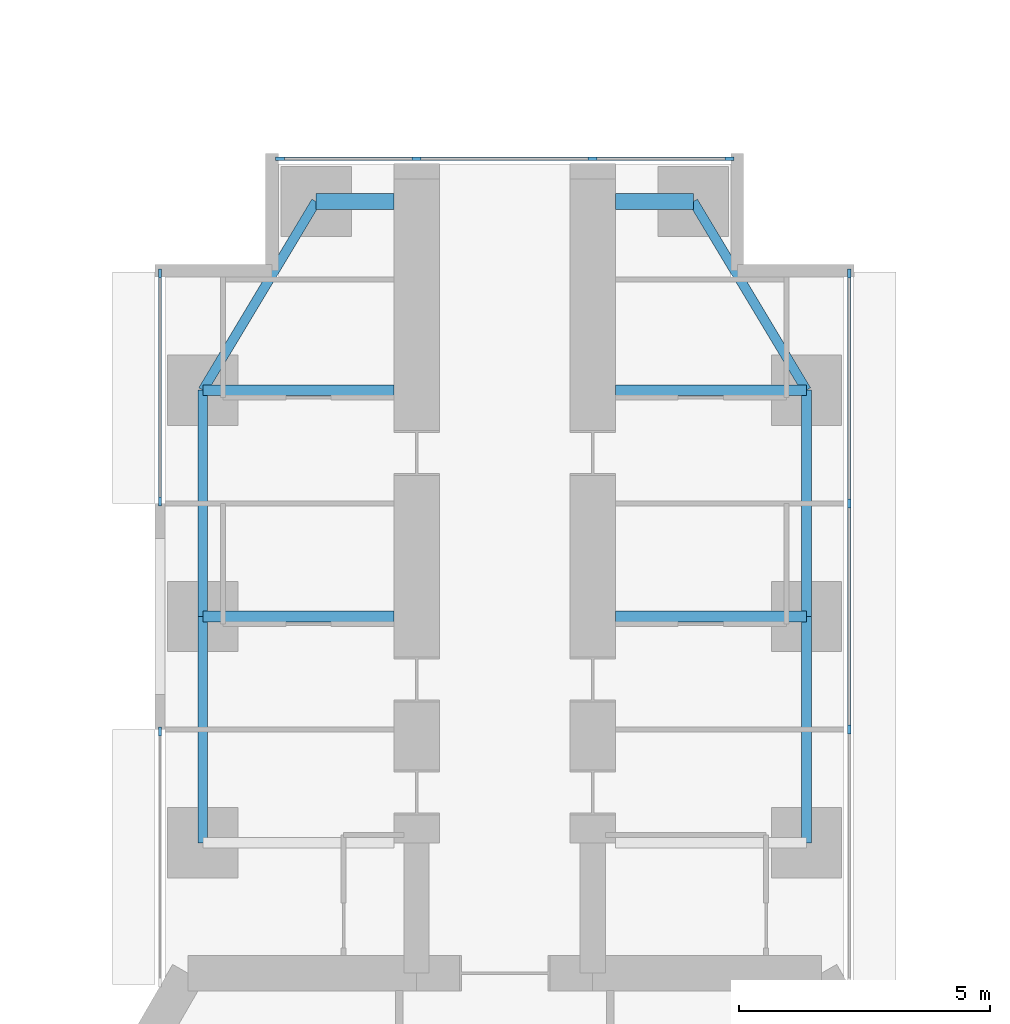
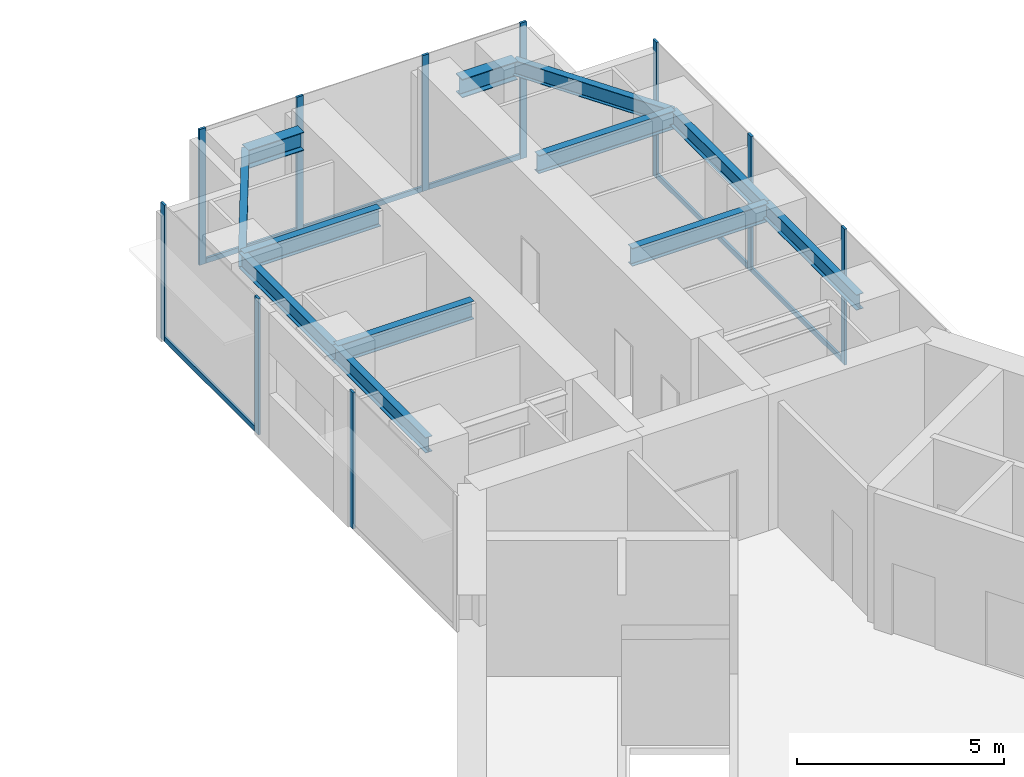
# One storey, part 13 of 25: 16 members, 12 beams, 4 elements without a shape of their own.
"""IFC4 building model written with IfcOpenShell, lengths in metres."""

from ifc_helpers import new_model, si_unit, direction, frame, origin, origin_2d, place, context, subcontext, project, spatial, rectangle, i_section, extrude, material, material_profile, profile_set, type_object, element, aggregate, save


model = new_model("IFC4")

# Units and contexts
model_context = context("Model", 3, precision=1e-05, world=origin(), true_north=direction((0.0, 1.0)))
body_context = subcontext(model_context, "Body", "Model", "MODEL_VIEW")
ifc_project = project(units=[si_unit("LENGTHUNIT", "METRE"), si_unit("AREAUNIT", "SQUARE_METRE"), si_unit("VOLUMEUNIT", "CUBIC_METRE"), si_unit("PLANEANGLEUNIT", "RADIAN"), si_unit("MASSUNIT", "GRAM", prefix="KILO")], contexts=[model_context])

# Site, building, storey
site_placement = place(None, origin())
site = spatial("IfcSite", under=ifc_project, at=site_placement, CompositionType="ELEMENT")
building_placement = place(site_placement, origin())
building = spatial("IfcBuilding", under=site, at=building_placement, Name="Upepo Twin Towers", CompositionType="ELEMENT")
storey_placement = place(building_placement, frame((0.0, 0.0, 88.5)))
storey = spatial("IfcBuildingStorey", under=building, at=storey_placement, Name="L21", CompositionType="ELEMENT", Elevation=88.5)

# Beams
ifc_material_1 = material(Name="Steel S355", Category="steel")
ifc_material_profile_1 = material_profile(ifc_material_1, i_section(OverallWidth=0.1904296875, OverallDepth=0.45703125, WebThickness=0.009033203125, FlangeThickness=0.014404296875, FilletRadius=0.01025390625, at=origin_2d()), Name="UB 457x191x74")
ifc_profile_set_1 = profile_set([ifc_material_profile_1], Name="Steel S355")
beam_type_1 = type_object("IfcBeamType", Name="Beam UB 457x191x74", PredefinedType="BEAM", material=ifc_profile_set_1)
for number, where, z_axis, x_axis, name in (
    (1, (52.5, -4.5, 3.471435546875), (0.0, 1.0, 0.0), (-1.0, 0.0, 0.0), "T2 edge beam AL 13.5-18.0"),
    (2, (52.5, 0.0, 3.471435546875), (0.0, 1.0, 0.0), (-1.0, 0.0, 0.0), "T2 edge beam AL 18.0-22.5"),
):
    element("IfcBeam", number, at=place(storey_placement, frame(where, z_axis=z_axis, x_axis=x_axis)), inside=storey, type_object=beam_type_1, Name=name, PredefinedType="BEAM", context=body_context, shape_type="SweptSolid", body=[
        extrude(i_section(OverallWidth=0.1904296875, OverallDepth=0.45703125, WebThickness=0.009033203125, FlangeThickness=0.014404296875, FilletRadius=0.01025390625, at=origin_2d()), origin(), (0.0, 0.0, 1.0), 4.5),
    ])
beam_1_placement = place(storey_placement, frame((52.5, 4.5, 3.471435546875), z_axis=(0.514495755428, 0.857492925713, 0.0), x_axis=(-0.857492925713, 0.514495755428, 0.0)))
element("IfcBeam", 3, at=beam_1_placement, inside=storey, type_object=beam_type_1, Name="T2 nose edge beam AL", PredefinedType="BEAM", context=body_context, shape_type="SweptSolid", body=[
    extrude(i_section(OverallWidth=0.1904296875, OverallDepth=0.45703125, WebThickness=0.009033203125, FlangeThickness=0.014404296875, FilletRadius=0.01025390625, at=origin_2d()), origin(), (0.0, 0.0, 1.0), 4.373291015625),
])
for number, where, z_axis, x_axis, name in (
    (4, (64.5, -4.5, 3.471435546875), (0.0, 1.0, 0.0), (-1.0, 0.0, 0.0), "T2 edge beam AR 13.5-18.0"),
    (5, (64.5, 0.0, 3.471435546875), (0.0, 1.0, 0.0), (-1.0, 0.0, 0.0), "T2 edge beam AR 18.0-22.5"),
):
    element("IfcBeam", number, at=place(storey_placement, frame(where, z_axis=z_axis, x_axis=x_axis)), inside=storey, type_object=beam_type_1, Name=name, PredefinedType="BEAM", context=body_context, shape_type="SweptSolid", body=[
        extrude(i_section(OverallWidth=0.1904296875, OverallDepth=0.45703125, WebThickness=0.009033203125, FlangeThickness=0.014404296875, FilletRadius=0.01025390625, at=origin_2d()), origin(), (0.0, 0.0, 1.0), 4.5),
    ])
beam_2_placement = place(storey_placement, frame((64.5, 4.5, 3.471435546875), z_axis=(-0.514495755428, 0.857492925713, 0.0), x_axis=(-0.857492925713, -0.514495755428, 0.0)))
element("IfcBeam", 6, at=beam_2_placement, inside=storey, type_object=beam_type_1, Name="T2 nose edge beam AR", PredefinedType="BEAM", context=body_context, shape_type="SweptSolid", body=[
    extrude(i_section(OverallWidth=0.1904296875, OverallDepth=0.45703125, WebThickness=0.009033203125, FlangeThickness=0.014404296875, FilletRadius=0.01025390625, at=origin_2d()), origin(), (0.0, 0.0, 1.0), 4.373291015625),
])
ifc_material_2 = material(Name="Steel S355", Category="steel")
ifc_material_profile_2 = material_profile(ifc_material_2, i_section(OverallWidth=0.209228515625, OverallDepth=0.533203125, WebThickness=0.010009765625, FlangeThickness=0.015625, FilletRadius=0.0126953125, at=origin_2d()), Name="UB 533x210x92")
ifc_profile_set_2 = profile_set([ifc_material_profile_2], Name="Steel S355")
beam_type_2 = type_object("IfcBeamType", Name="Beam UB 533x210x92", PredefinedType="BEAM", material=ifc_profile_set_2)
for number, where, z_axis, x_axis, name in (
    (7, (52.5, 0.0, 3.433349609375), (1.0, 0.0, 0.0), (0.0, 1.0, 0.0), "T2 girder AL at 18.0"),
    (8, (52.5, 4.5, 3.433349609375), (1.0, 0.0, 0.0), (0.0, 1.0, 0.0), "T2 girder AL at 22.5"),
    (9, (64.5, 0.0, 3.433349609375), (-1.0, 0.0, 0.0), (0.0, -1.0, 0.0), "T2 girder AR at 18.0"),
    (10, (64.5, 4.5, 3.433349609375), (-1.0, 0.0, 0.0), (0.0, -1.0, 0.0), "T2 girder AR at 22.5"),
):
    element("IfcBeam", number, at=place(storey_placement, frame(where, z_axis=z_axis, x_axis=x_axis)), inside=storey, type_object=beam_type_2, Name=name, PredefinedType="BEAM", context=body_context, shape_type="SweptSolid", body=[
        extrude(i_section(OverallWidth=0.209228515625, OverallDepth=0.533203125, WebThickness=0.010009765625, FlangeThickness=0.015625, FilletRadius=0.0126953125, at=origin_2d()), origin(), (0.0, 0.0, 1.0), 3.800048828125),
    ])
ifc_material_3 = material(Name="Steel S355", Category="steel")
ifc_material_profile_3 = material_profile(ifc_material_3, i_section(OverallWidth=0.31201171875, OverallDepth=0.54345703125, WebThickness=0.0126953125, FlangeThickness=0.020263671875, FilletRadius=0.0126953125, at=origin_2d()), Name="UB 533x312x150")
ifc_profile_set_3 = profile_set([ifc_material_profile_3], Name="Steel S355")
beam_type_3 = type_object("IfcBeamType", Name="Beam UB 533x312x150", PredefinedType="BEAM", material=ifc_profile_set_3)
for number, where, z_axis, x_axis, name in (
    (11, (54.75, 8.25, 3.42822265625), (1.0, 0.0, 0.0), (0.0, 1.0, 0.0), "T2 nose beam AL"),
    (12, (62.25, 8.25, 3.42822265625), (-1.0, 0.0, 0.0), (0.0, -1.0, 0.0), "T2 nose beam AR"),
):
    element("IfcBeam", number, at=place(storey_placement, frame(where, z_axis=z_axis, x_axis=x_axis)), inside=storey, type_object=beam_type_3, Name=name, PredefinedType="BEAM", context=body_context, shape_type="SweptSolid", body=[
        extrude(i_section(OverallWidth=0.31201171875, OverallDepth=0.54345703125, WebThickness=0.0126953125, FlangeThickness=0.020263671875, FilletRadius=0.0126953125, at=origin_2d()), origin(), (0.0, 0.0, 1.0), 1.550048828125),
    ])

# Curtain wall, member
ifc_material_4 = material(Name="Aluminium and fritted glass", Category="aluminium")
curtain_wall_type = type_object("IfcCurtainWallType", Name="Tower curtain wall TW1, fritted glass", PredefinedType="NOTDEFINED", material=ifc_material_4)
curtain_wall_1_placement = place(storey_placement, origin())
curtain_wall_1 = element("IfcCurtainWall", 13, at=curtain_wall_1_placement, inside=storey, type_object=curtain_wall_type, Name="T2 L21 wing A flank L curtain wall", PredefinedType="NOTDEFINED")
ifc_material_5 = material(Name="Aluminium mullion", Category="aluminium")
ifc_material_profile_4 = material_profile(ifc_material_5, rectangle(XDim=0.06494140625, YDim=0.179931640625, at=origin_2d()), Name="MULLION 65x180")
ifc_profile_set_4 = profile_set([ifc_material_profile_4], Name="Aluminium mullion")
member_type_1 = type_object("IfcMemberType", Name="Mullion 65x180 TW1", PredefinedType="MULLION", material=ifc_profile_set_4)
member_1_placement = place(storey_placement, frame((51.64990234375, -2.282470703125, 0.0), z_axis=(0.0, 0.0, 1.0), x_axis=(-1.0, 0.0, 0.0)))
member_1 = element("IfcMember", 14, at=member_1_placement, type_object=member_type_1, Name="T2 L21 wing A flank L curtain wall mullion 2", PredefinedType="MULLION", context=body_context, shape_type="SweptSolid", body=[
    extrude(rectangle(XDim=0.06494140625, YDim=0.179931640625, at=origin_2d()), origin(), (0.0, 0.0, 1.0), 4.0),
])
aggregate(curtain_wall_1, [member_1])

# Curtain wall, members
curtain_wall_2_placement = place(storey_placement, origin())
curtain_wall_2 = element("IfcCurtainWall", 15, at=curtain_wall_2_placement, inside=storey, type_object=curtain_wall_type, Name="T2 L21 wing A flank L curtain wall 2", PredefinedType="NOTDEFINED")
member_2_placement = place(storey_placement, frame((51.64990234375, 2.282470703125, 0.0), z_axis=(0.0, 0.0, 1.0), x_axis=(-1.0, 0.0, 0.0)))
member_2 = element("IfcMember", 16, at=member_2_placement, type_object=member_type_1, Name="T2 L21 wing A flank L curtain wall 2 mullion 1", PredefinedType="MULLION", context=body_context, shape_type="SweptSolid", body=[
    extrude(rectangle(XDim=0.06494140625, YDim=0.179931640625, at=origin_2d()), origin(), (0.0, 0.0, 1.0), 4.0),
])
member_3_placement = place(storey_placement, frame((51.64990234375, 6.8173828125, 0.0), z_axis=(0.0, 0.0, 1.0), x_axis=(-1.0, 0.0, 0.0)))
member_3 = element("IfcMember", 17, at=member_3_placement, type_object=member_type_1, Name="T2 L21 wing A flank L curtain wall 2 mullion 2", PredefinedType="MULLION", context=body_context, shape_type="SweptSolid", body=[
    extrude(rectangle(XDim=0.06494140625, YDim=0.179931640625, at=origin_2d()), origin(), (0.0, 0.0, 1.0), 4.0),
])

curtain_wall_3_placement = place(storey_placement, origin())
curtain_wall_3 = element("IfcCurtainWall", 18, at=curtain_wall_3_placement, inside=storey, type_object=curtain_wall_type, Name="T2 L21 wing A flank R curtain wall", PredefinedType="NOTDEFINED")
member_4_placement = place(storey_placement, frame((65.35009765625, 6.8173828125, 0.0), z_axis=(0.0, 0.0, 1.0), x_axis=(1.0, 0.0, 0.0)))
member_4 = element("IfcMember", 19, at=member_4_placement, type_object=member_type_1, Name="T2 L21 wing A flank R curtain wall mullion 1", PredefinedType="MULLION", context=body_context, shape_type="SweptSolid", body=[
    extrude(rectangle(XDim=0.06494140625, YDim=0.179931640625, at=origin_2d()), origin(), (0.0, 0.0, 1.0), 4.0),
])
member_5_placement = place(storey_placement, frame((65.35009765625, 2.25, 0.0), z_axis=(0.0, 0.0, 1.0), x_axis=(1.0, 0.0, 0.0)))
member_5 = element("IfcMember", 20, at=member_5_placement, type_object=member_type_1, Name="T2 L21 wing A flank R curtain wall mullion 2", PredefinedType="MULLION", context=body_context, shape_type="SweptSolid", body=[
    extrude(rectangle(XDim=0.06494140625, YDim=0.179931640625, at=origin_2d()), origin(), (0.0, 0.0, 1.0), 4.0),
])
member_6_placement = place(storey_placement, frame((65.35009765625, -2.25, 0.0), z_axis=(0.0, 0.0, 1.0), x_axis=(1.0, 0.0, 0.0)))
member_6 = element("IfcMember", 21, at=member_6_placement, type_object=member_type_1, Name="T2 L21 wing A flank R curtain wall mullion 3", PredefinedType="MULLION", context=body_context, shape_type="SweptSolid", body=[
    extrude(rectangle(XDim=0.06494140625, YDim=0.179931640625, at=origin_2d()), origin(), (0.0, 0.0, 1.0), 4.0),
])

curtain_wall_4_placement = place(storey_placement, origin())
curtain_wall_4 = element("IfcCurtainWall", 22, at=curtain_wall_4_placement, inside=storey, type_object=curtain_wall_type, Name="T2 L21 wing A nose curtain wall", PredefinedType="NOTDEFINED")
member_7_placement = place(storey_placement, frame((62.967529296875, 9.10009765625, 0.0), z_axis=(0.0, 0.0, 1.0), x_axis=(0.0, -1.0, 0.0)))
member_7 = element("IfcMember", 23, at=member_7_placement, type_object=member_type_1, Name="T2 L21 wing A nose curtain wall mullion 1", PredefinedType="MULLION", context=body_context, shape_type="SweptSolid", body=[
    extrude(rectangle(XDim=0.06494140625, YDim=0.179931640625, at=origin_2d()), origin(), (0.0, 0.0, 1.0), 4.0),
])
member_8_placement = place(storey_placement, frame((60.25, 9.10009765625, 0.0), z_axis=(0.0, 0.0, 1.0), x_axis=(0.0, -1.0, 0.0)))
member_8 = element("IfcMember", 24, at=member_8_placement, type_object=member_type_1, Name="T2 L21 wing A nose curtain wall mullion 2", PredefinedType="MULLION", context=body_context, shape_type="SweptSolid", body=[
    extrude(rectangle(XDim=0.06494140625, YDim=0.179931640625, at=origin_2d()), origin(), (0.0, 0.0, 1.0), 4.0),
])
member_9_placement = place(storey_placement, frame((56.75, 9.10009765625, 0.0), z_axis=(0.0, 0.0, 1.0), x_axis=(0.0, -1.0, 0.0)))
member_9 = element("IfcMember", 25, at=member_9_placement, type_object=member_type_1, Name="T2 L21 wing A nose curtain wall mullion 3", PredefinedType="MULLION", context=body_context, shape_type="SweptSolid", body=[
    extrude(rectangle(XDim=0.06494140625, YDim=0.179931640625, at=origin_2d()), origin(), (0.0, 0.0, 1.0), 4.0),
])
member_10_placement = place(storey_placement, frame((54.032470703125, 9.10009765625, 0.0), z_axis=(0.0, 0.0, 1.0), x_axis=(0.0, -1.0, 0.0)))
member_10 = element("IfcMember", 26, at=member_10_placement, type_object=member_type_1, Name="T2 L21 wing A nose curtain wall mullion 4", PredefinedType="MULLION", context=body_context, shape_type="SweptSolid", body=[
    extrude(rectangle(XDim=0.06494140625, YDim=0.179931640625, at=origin_2d()), origin(), (0.0, 0.0, 1.0), 4.0),
])

# Member
ifc_material_6 = material(Name="Aluminium transom", Category="aluminium")
ifc_material_profile_5 = material_profile(ifc_material_6, rectangle(XDim=0.06494140625, YDim=0.14990234375, at=origin_2d()), Name="TRANSOM 65x150")
ifc_profile_set_5 = profile_set([ifc_material_profile_5], Name="Aluminium transom")
member_type_2 = type_object("IfcMemberType", Name="Transom 65x150 TW1", PredefinedType="USERDEFINED", material=ifc_profile_set_5)
member_11_placement = place(storey_placement, frame((51.64990234375, 2.31494140625, 0.074951171875), z_axis=(0.0, 1.0, 0.0), x_axis=(-1.0, 0.0, 0.0)))
member_11 = element("IfcMember", 27, at=member_11_placement, type_object=member_type_2, Name="T2 L21 wing A flank L curtain wall 2 transom 1", ObjectType="TRANSOM", PredefinedType="USERDEFINED", context=body_context, shape_type="SweptSolid", body=[
    extrude(rectangle(XDim=0.06494140625, YDim=0.14990234375, at=origin_2d()), origin(), (0.0, 0.0, 1.0), 4.469970703125),
])

aggregate(curtain_wall_2, [member_2, member_3, member_11])

member_12_placement = place(storey_placement, frame((65.35009765625, 6.784912109375, 0.074951171875), z_axis=(0.0, -1.0, 0.0), x_axis=(1.0, 0.0, 0.0)))
member_12 = element("IfcMember", 28, at=member_12_placement, type_object=member_type_2, Name="T2 L21 wing A flank R curtain wall transom 1", ObjectType="TRANSOM", PredefinedType="USERDEFINED", context=body_context, shape_type="SweptSolid", body=[
    extrude(rectangle(XDim=0.06494140625, YDim=0.14990234375, at=origin_2d()), origin(), (0.0, 0.0, 1.0), 4.50244140625),
])

member_13_placement = place(storey_placement, frame((65.35009765625, 2.217529296875, 0.074951171875), z_axis=(0.0, -1.0, 0.0), x_axis=(1.0, 0.0, 0.0)))
member_13 = element("IfcMember", 29, at=member_13_placement, type_object=member_type_2, Name="T2 L21 wing A flank R curtain wall transom 2", ObjectType="TRANSOM", PredefinedType="USERDEFINED", context=body_context, shape_type="SweptSolid", body=[
    extrude(rectangle(XDim=0.06494140625, YDim=0.14990234375, at=origin_2d()), origin(), (0.0, 0.0, 1.0), 4.43505859375),
])

aggregate(curtain_wall_3, [member_4, member_5, member_6, member_12, member_13])

member_14_placement = place(storey_placement, frame((62.93505859375, 9.10009765625, 0.074951171875), z_axis=(-1.0, 0.0, 0.0), x_axis=(0.0, -1.0, 0.0)))
member_14 = element("IfcMember", 30, at=member_14_placement, type_object=member_type_2, Name="T2 L21 wing A nose curtain wall transom 1", ObjectType="TRANSOM", PredefinedType="USERDEFINED", context=body_context, shape_type="SweptSolid", body=[
    extrude(rectangle(XDim=0.06494140625, YDim=0.14990234375, at=origin_2d()), origin(), (0.0, 0.0, 1.0), 2.652587890625),
])

member_15_placement = place(storey_placement, frame((60.217529296875, 9.10009765625, 0.074951171875), z_axis=(-1.0, 0.0, 0.0), x_axis=(0.0, -1.0, 0.0)))
member_15 = element("IfcMember", 31, at=member_15_placement, type_object=member_type_2, Name="T2 L21 wing A nose curtain wall transom 2", ObjectType="TRANSOM", PredefinedType="USERDEFINED", context=body_context, shape_type="SweptSolid", body=[
    extrude(rectangle(XDim=0.06494140625, YDim=0.14990234375, at=origin_2d()), origin(), (0.0, 0.0, 1.0), 3.43505859375),
])

member_16_placement = place(storey_placement, frame((56.717529296875, 9.10009765625, 0.074951171875), z_axis=(-1.0, 0.0, 0.0), x_axis=(0.0, -1.0, 0.0)))
member_16 = element("IfcMember", 32, at=member_16_placement, type_object=member_type_2, Name="T2 L21 wing A nose curtain wall transom 3", ObjectType="TRANSOM", PredefinedType="USERDEFINED", context=body_context, shape_type="SweptSolid", body=[
    extrude(rectangle(XDim=0.06494140625, YDim=0.14990234375, at=origin_2d()), origin(), (0.0, 0.0, 1.0), 2.652587890625),
])

aggregate(curtain_wall_4, [member_7, member_8, member_9, member_10, member_14, member_15, member_16])

save(model, "model.ifc")
